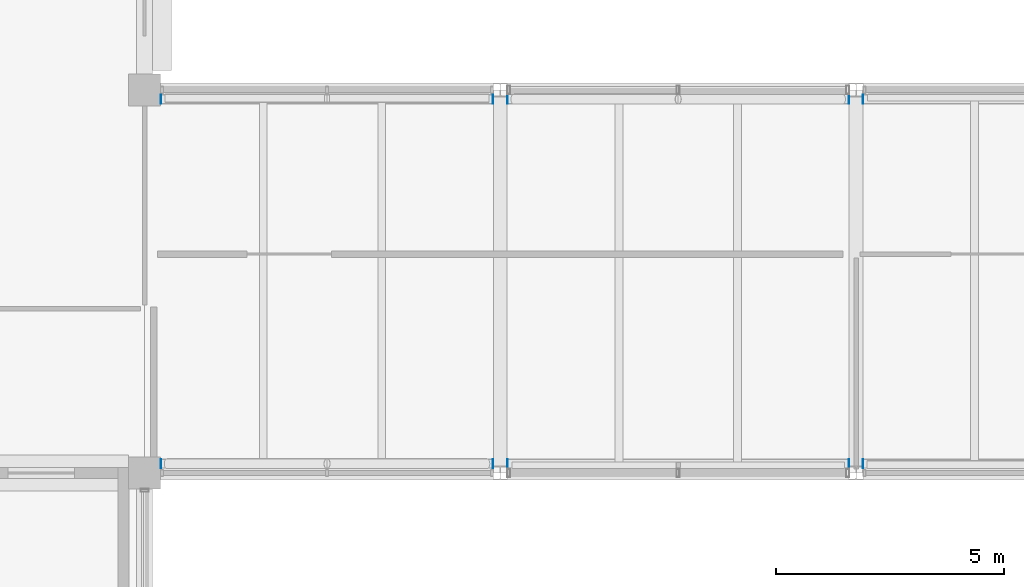
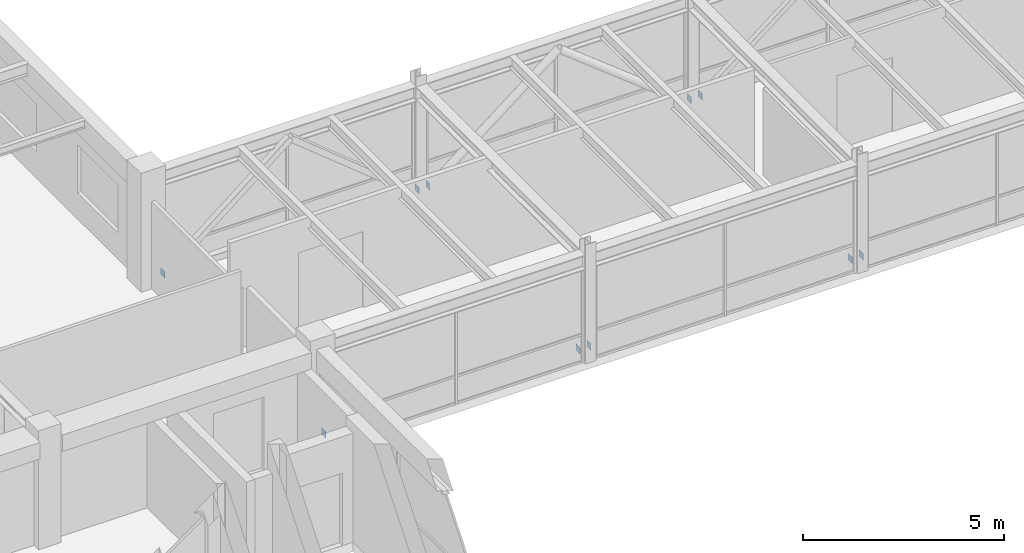
# One storey, part 34 of 49: 10 plates.
"""IFC4 building model written with IfcOpenShell, lengths in metres."""

from ifc_helpers import new_model, si_unit, direction, frame, origin, origin_2d, place, context, subcontext, project, spatial, rectangle, extrude, material, layer, layer_set, type_object, element, save


model = new_model("IFC4")

# Units and contexts
model_context = context("Model", 3, precision=1e-05, world=origin(), true_north=direction((0.0, 1.0)))
body_context = subcontext(model_context, "Body", "Model", "MODEL_VIEW")
ifc_project = project(units=[si_unit("LENGTHUNIT", "METRE"), si_unit("AREAUNIT", "SQUARE_METRE"), si_unit("VOLUMEUNIT", "CUBIC_METRE"), si_unit("PLANEANGLEUNIT", "RADIAN"), si_unit("MASSUNIT", "GRAM", prefix="KILO"), si_unit("THERMODYNAMICTEMPERATUREUNIT", "KELVIN"), si_unit("POWERUNIT", "WATT")], contexts=[model_context])

# Site, building, storey
site_placement = place(None, origin())
site = spatial("IfcSite", under=ifc_project, at=site_placement, CompositionType="ELEMENT")
building_placement = place(site_placement, origin())
building = spatial("IfcBuilding", under=site, at=building_placement, Name="Srebrne Nadtorze General Hospital", CompositionType="ELEMENT")
storey_placement = place(building_placement, frame((0.0, 0.0, 26.10009765625)))
storey = spatial("IfcBuildingStorey", under=building, at=storey_placement, Name="L06", CompositionType="ELEMENT", Elevation=26.10009765625)

# Plates
ifc_material = material(Name="Steel S355J2", Category="steel")
ifc_layer = layer(ifc_material, 0.011962890625)
ifc_layer_set = layer_set([ifc_layer], Name="Steel S355J2")
plate_type = type_object("IfcPlateType", Name="Steel bearing plate 12", PredefinedType="SHEET", material=ifc_layer_set)
for number, where, z_axis, x_axis, name in (
    (1, (54.9560546875, 50.60498046875, 0.14990234375), (0.0, 0.0, 1.0), (1.0, 0.0, 0.0), "Clinical courtyard bridge truss chord end plate 13-1"),
    (2, (62.243896484375, 50.60498046875, 0.14990234375), (0.0, 0.0, 1.0), (1.0, 0.0, 0.0), "Clinical courtyard bridge truss chord end plate 13-2"),
    (3, (62.555908203125, 50.60498046875, 0.14990234375), (0.0, 0.0, 1.0), (1.0, 0.0, 0.0), "Clinical courtyard bridge truss chord end plate 14-1"),
    (4, (70.0439453125, 50.60498046875, 0.14990234375), (0.0, 0.0, 1.0), (1.0, 0.0, 0.0), "Clinical courtyard bridge truss chord end plate 14-2"),
    (5, (70.35595703125, 50.60498046875, 0.14990234375), (0.0, 0.0, 1.0), (1.0, 0.0, 0.0), "Clinical courtyard bridge truss chord end plate 15-1"),
    (6, (54.9560546875, 58.594970703125, 0.14990234375), (0.0, 0.0, 1.0), (1.0, 0.0, 0.0), "Clinical courtyard bridge truss chord end plate 19-1"),
    (7, (62.243896484375, 58.594970703125, 0.14990234375), (0.0, 0.0, 1.0), (1.0, 0.0, 0.0), "Clinical courtyard bridge truss chord end plate 19-2"),
    (8, (62.555908203125, 58.594970703125, 0.14990234375), (0.0, 0.0, 1.0), (1.0, 0.0, 0.0), "Clinical courtyard bridge truss chord end plate 20-1"),
    (9, (70.0439453125, 58.594970703125, 0.14990234375), (0.0, 0.0, 1.0), (1.0, 0.0, 0.0), "Clinical courtyard bridge truss chord end plate 20-2"),
    (10, (70.35595703125, 58.594970703125, 0.14990234375), (0.0, 0.0, 1.0), (1.0, 0.0, 0.0), "Clinical courtyard bridge truss chord end plate 21-1"),
):
    element("IfcPlate", number, at=place(storey_placement, frame(where, z_axis=z_axis, x_axis=x_axis)), inside=storey, type_object=plate_type, Name=name, PredefinedType="SHEET", context=body_context, shape_type="SweptSolid", body=[
        extrude(rectangle(XDim=0.011962890625, YDim=0.199951171875, at=origin_2d()), origin(), (0.0, 0.0, 1.0), 0.199951171875),
    ])

save(model, "model.ifc")
